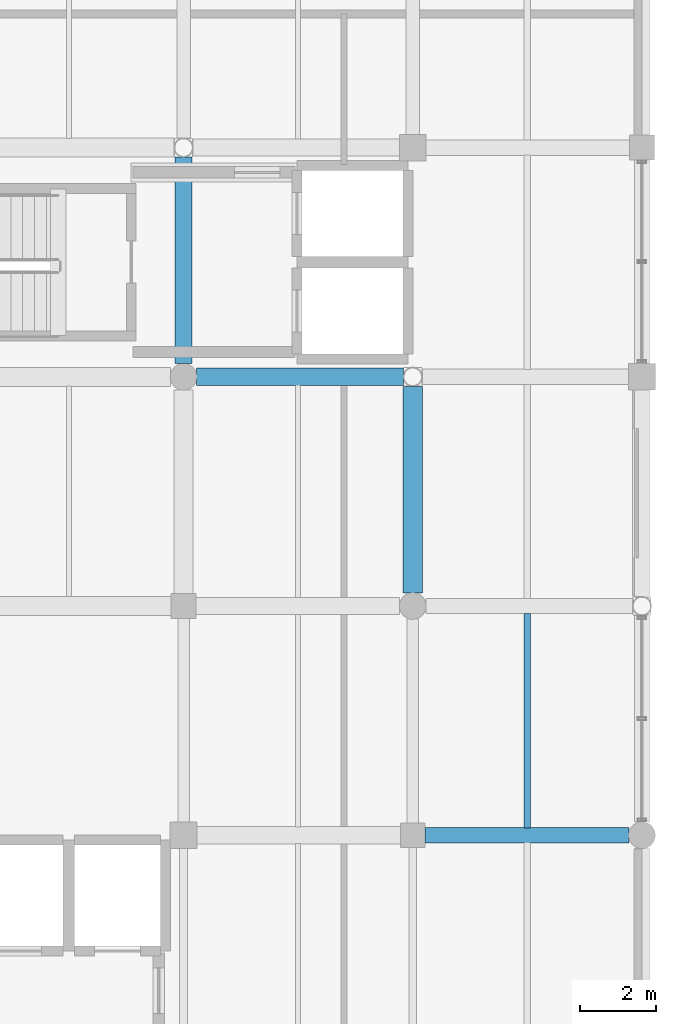
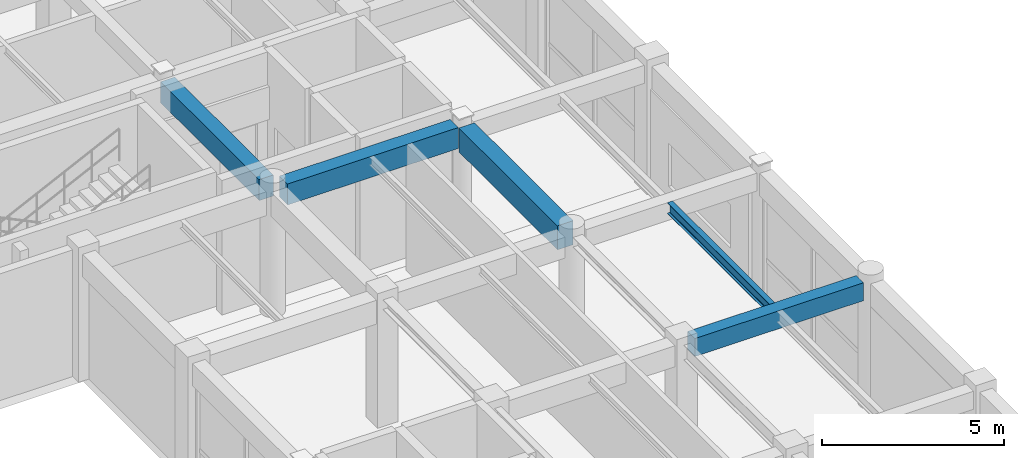
# One storey, part 72 of 116: 5 beams.
"""IFC4 building model written with IfcOpenShell, lengths in metres."""

from ifc_helpers import new_model, si_unit, direction, frame, origin, origin_2d, place, context, subcontext, project, spatial, rectangle, i_section, extrude, material, material_profile, profile_set, type_object, element, save


model = new_model("IFC4")

# Units and contexts
model_context = context("Model", 3, precision=1e-05, world=origin(), true_north=direction((0.0, 1.0)))
body_context = subcontext(model_context, "Body", "Model", "MODEL_VIEW")
ifc_project = project(units=[si_unit("LENGTHUNIT", "METRE"), si_unit("AREAUNIT", "SQUARE_METRE"), si_unit("VOLUMEUNIT", "CUBIC_METRE"), si_unit("PLANEANGLEUNIT", "RADIAN"), si_unit("MASSUNIT", "GRAM", prefix="KILO"), si_unit("THERMODYNAMICTEMPERATUREUNIT", "KELVIN"), si_unit("POWERUNIT", "WATT")], contexts=[model_context])

# Site, building, storey
site_placement = place(None, origin())
site = spatial("IfcSite", under=ifc_project, at=site_placement, CompositionType="ELEMENT")
building_placement = place(site_placement, origin())
building = spatial("IfcBuilding", under=site, at=building_placement, Name="Phaisarnlok Congress Hotel", CompositionType="ELEMENT")
storey_placement = place(building_placement, frame((0.0, 0.0, 10.5)))
storey = spatial("IfcBuildingStorey", under=building, at=storey_placement, Name="L02", CompositionType="ELEMENT", Elevation=10.5)

# Beams
ifc_material_1 = material(Name="Concrete C40/50", Category="concrete")
ifc_material_profile_1 = material_profile(ifc_material_1, rectangle(XDim=0.39990234375, YDim=0.60009765625, at=origin_2d()), Name="RC 400x600")
ifc_profile_set_1 = profile_set([ifc_material_profile_1], Name="Concrete C40/50")
beam_type_1 = type_object("IfcBeamType", Name="BM-RC-400x600", PredefinedType="BEAM", material=ifc_profile_set_1)
beam_1_placement = place(storey_placement, frame((174.320068359375, 96.0, 3.93994140625), z_axis=(1.0, 0.0, 0.0), x_axis=(0.0, 1.0, 0.0)))
element("IfcBeam", 1, at=beam_1_placement, inside=storey, type_object=beam_type_1, Name="Beam B-02", PredefinedType="BEAM", context=body_context, shape_type="SweptSolid", body=[
    extrude(rectangle(XDim=0.39990234375, YDim=0.60009765625, at=origin_2d()), origin(), (0.0, 0.0, 1.0), 5.3349609375),
])
ifc_material_profile_2 = material_profile(ifc_material_1, rectangle(XDim=0.449951171875, YDim=0.699951171875, at=origin_2d()), Name="RC 450x700")
ifc_profile_set_2 = profile_set([ifc_material_profile_2], Name="Concrete C40/50")
beam_type_2 = type_object("IfcBeamType", Name="BM-RC-450x700", PredefinedType="BEAM", material=ifc_profile_set_2)
for number, where, z_axis, x_axis, name in (
    (2, (168.344970703125, 108.0, 3.889892578125), (1.0, 0.0, 0.0), (0.0, 1.0, 0.0), "Beam B-03"),
    (3, (168.0, 108.344970703125, 3.889892578125), (0.0, 1.0, 0.0), (-1.0, 0.0, 0.0), "Beam B-03"),
):
    element("IfcBeam", number, at=place(storey_placement, frame(where, z_axis=z_axis, x_axis=x_axis)), inside=storey, type_object=beam_type_2, Name=name, PredefinedType="BEAM", context=body_context, shape_type="SweptSolid", body=[
        extrude(rectangle(XDim=0.449951171875, YDim=0.699951171875, at=origin_2d()), origin(), (0.0, 0.0, 1.0), 5.406005859375),
    ])
ifc_material_profile_3 = material_profile(ifc_material_1, rectangle(XDim=0.5, YDim=0.800048828125, at=origin_2d()), Name="RC 500x800")
ifc_profile_set_3 = profile_set([ifc_material_profile_3], Name="Concrete C40/50")
beam_type_3 = type_object("IfcBeamType", Name="BM-RC-500x800", PredefinedType="BEAM", material=ifc_profile_set_3)
beam_2_placement = place(storey_placement, frame((174.0, 102.344970703125, 3.840087890625), z_axis=(0.0, 1.0, 0.0), x_axis=(-1.0, 0.0, 0.0)))
element("IfcBeam", 4, at=beam_2_placement, inside=storey, type_object=beam_type_3, Name="Beam B-04", PredefinedType="BEAM", context=body_context, shape_type="SweptSolid", body=[
    extrude(rectangle(XDim=0.5, YDim=0.800048828125, at=origin_2d()), origin(), (0.0, 0.0, 1.0), 5.406005859375),
])
ifc_material_2 = material(Name="Steel S355", Category="steel")
ifc_material_profile_4 = material_profile(ifc_material_2, i_section(OverallWidth=0.169921875, OverallDepth=0.360107421875, WebThickness=0.008056640625, FlangeThickness=0.0126953125, FilletRadius=0.01806640625, at=origin_2d()), Name="IPE 360")
ifc_profile_set_4 = profile_set([ifc_material_profile_4], Name="Steel S355")
beam_type_4 = type_object("IfcBeamType", Name="JS-STL-IPE360", PredefinedType="JOIST", material=ifc_profile_set_4)
beam_3_placement = place(storey_placement, frame((177.0, 96.195068359375, 4.06005859375), z_axis=(0.0, 1.0, 0.0), x_axis=(-1.0, 0.0, 0.0)))
element("IfcBeam", 5, at=beam_3_placement, inside=storey, type_object=beam_type_4, Name="Secondary floor joist J-04", PredefinedType="JOIST", context=body_context, shape_type="SweptSolid", body=[
    extrude(i_section(OverallWidth=0.169921875, OverallDepth=0.360107421875, WebThickness=0.008056640625, FlangeThickness=0.0126953125, FilletRadius=0.01806640625, at=origin_2d()), origin(), (0.0, 0.0, 1.0), 5.60986328125),
])

save(model, "model.ifc")
